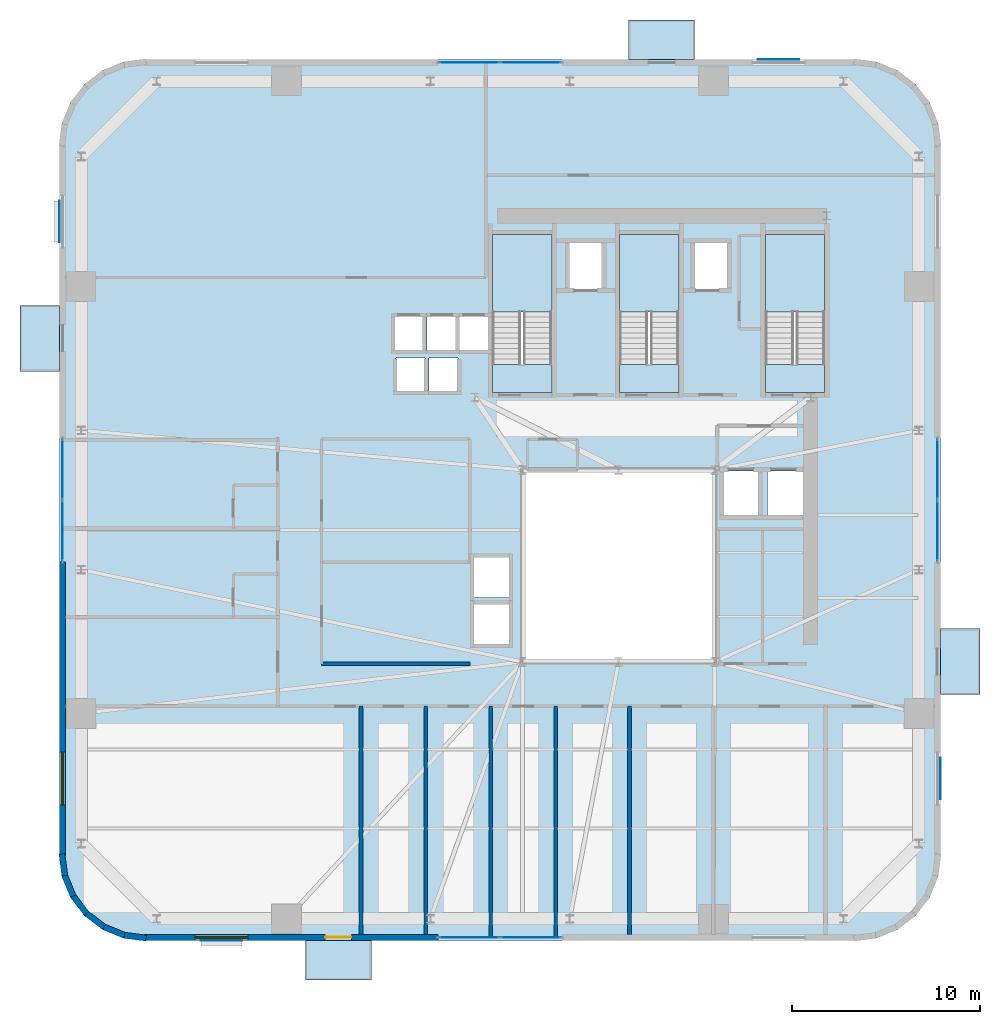
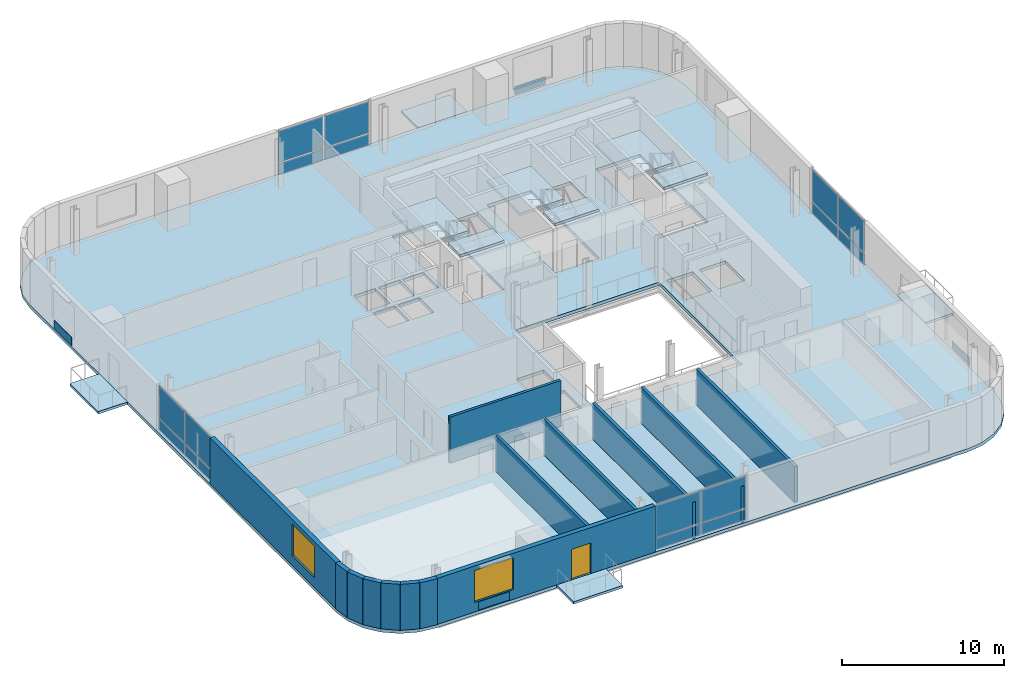
# One storey, part 5 of 14: 20 plates, 14 walls, 11 slabs, 2 windows, 1 door, 3 openings, 7 elements without a shape of their own.
"""IFC4 building model written with IfcOpenShell, lengths in metres."""

from ifc_helpers import new_model, si_unit, direction, frame, frame_2d, origin, origin_2d, place, context, subcontext, project, spatial, polyline, rectangle, outline, extrude, source, transform, mapped, material, layer, layer_set, type_object, element, fill, aggregate, save


model = new_model("IFC4")

# Units and contexts
model_context = context("Model", 3, precision=1e-05, world=origin(), true_north=direction((0.0, 1.0)))
body_context = subcontext(model_context, "Body", "Model", "MODEL_VIEW")
ifc_project = project(units=[si_unit("LENGTHUNIT", "METRE"), si_unit("AREAUNIT", "SQUARE_METRE"), si_unit("VOLUMEUNIT", "CUBIC_METRE"), si_unit("PLANEANGLEUNIT", "RADIAN"), si_unit("MASSUNIT", "GRAM", prefix="KILO")], contexts=[model_context])

# Site, building, storey
site_placement = place(None, origin())
site = spatial("IfcSite", under=ifc_project, at=site_placement, CompositionType="ELEMENT")
building_placement = place(site_placement, origin())
building = spatial("IfcBuilding", under=site, at=building_placement, Name="Vardaveli Station Tower", CompositionType="ELEMENT")
storey_placement = place(building_placement, frame((0.0, 0.0, 133.5)))
storey = spatial("IfcBuildingStorey", under=building, at=storey_placement, Name="L34", CompositionType="ELEMENT", Elevation=133.5)

# Stair, slabs
ifc_material_1 = material(Name="Concrete C40/50", Category="concrete")
stair_type = type_object("IfcStairType", Name="STR-CORE-1500", PredefinedType="HALF_TURN_STAIR", material=ifc_material_1)
stair_1_placement = place(storey_placement, origin())
stair_1 = element("IfcStair", 1, at=stair_1_placement, inside=storey, type_object=stair_type, Name="L34 ST-1", PredefinedType="HALF_TURN_STAIR")
ifc_layer_1 = layer(ifc_material_1, 0.199951171875, Name="Concrete C40/50")
ifc_layer_set_1 = layer_set([ifc_layer_1], Name="Concrete C40/50")
slab_type_1 = type_object("IfcSlabType", Name="SLB-LAND-200", PredefinedType="LANDING", material=ifc_layer_set_1)
slab_1_placement = place(storey_placement, frame((0.0, 0.0, 1.64990234375)))
slab_1 = element("IfcSlab", 2, at=slab_1_placement, type_object=slab_type_1, Name="ST-1 landing 1", PredefinedType="LANDING", context=body_context, shape_type="SweptSolid", body=[
    extrude(outline(polyline([(32.75, 35.199951171875), (32.75, 39.300048828125), (29.60009765625, 39.300048828125), (29.60009765625, 35.199951171875), (32.75, 35.199951171875)])), origin(), (0.0, 0.0, 1.0), 0.2001953125),
])
slab_2_placement = place(storey_placement, frame((0.0, 0.0, 3.5)))
slab_2 = element("IfcSlab", 3, at=slab_2_placement, type_object=slab_type_1, Name="ST-1 landing 2", PredefinedType="LANDING", context=body_context, shape_type="SweptSolid", body=[
    extrude(outline(polyline([(32.75, 30.89990234375), (32.75, 32.39990234375), (29.60009765625, 32.39990234375), (29.60009765625, 30.89990234375), (32.75, 30.89990234375)])), origin(), (0.0, 0.0, 1.0), 0.199951171875),
])
aggregate(stair_1, [slab_1, slab_2])

stair_2_placement = place(storey_placement, origin())
stair_2 = element("IfcStair", 4, at=stair_2_placement, inside=storey, type_object=stair_type, Name="L34 ST-2", PredefinedType="HALF_TURN_STAIR")
slab_3_placement = place(storey_placement, frame((0.0, 0.0, 1.64990234375)))
slab_3 = element("IfcSlab", 5, at=slab_3_placement, type_object=slab_type_1, Name="ST-2 landing 1", PredefinedType="LANDING", context=body_context, shape_type="SweptSolid", body=[
    extrude(outline(polyline([(39.5, 35.199951171875), (39.5, 39.300048828125), (36.35009765625, 39.300048828125), (36.35009765625, 35.199951171875), (39.5, 35.199951171875)])), origin(), (0.0, 0.0, 1.0), 0.2001953125),
])
slab_4_placement = place(storey_placement, frame((0.0, 0.0, 3.5)))
slab_4 = element("IfcSlab", 6, at=slab_4_placement, type_object=slab_type_1, Name="ST-2 landing 2", PredefinedType="LANDING", context=body_context, shape_type="SweptSolid", body=[
    extrude(outline(polyline([(39.5, 30.89990234375), (39.5, 32.39990234375), (36.35009765625, 32.39990234375), (36.35009765625, 30.89990234375), (39.5, 30.89990234375)])), origin(), (0.0, 0.0, 1.0), 0.199951171875),
])
aggregate(stair_2, [slab_3, slab_4])

stair_3_placement = place(storey_placement, origin())
stair_3 = element("IfcStair", 7, at=stair_3_placement, inside=storey, type_object=stair_type, Name="L34 ST-3", PredefinedType="HALF_TURN_STAIR")
slab_5_placement = place(storey_placement, frame((0.0, 0.0, 1.64990234375)))
slab_5 = element("IfcSlab", 8, at=slab_5_placement, type_object=slab_type_1, Name="ST-3 landing 1", PredefinedType="LANDING", context=body_context, shape_type="SweptSolid", body=[
    extrude(outline(polyline([(47.25, 35.199951171875), (47.25, 39.300048828125), (44.10009765625, 39.300048828125), (44.10009765625, 35.199951171875), (47.25, 35.199951171875)])), origin(), (0.0, 0.0, 1.0), 0.2001953125),
])
slab_6_placement = place(storey_placement, frame((0.0, 0.0, 3.5)))
slab_6 = element("IfcSlab", 9, at=slab_6_placement, type_object=slab_type_1, Name="ST-3 landing 2", PredefinedType="LANDING", context=body_context, shape_type="SweptSolid", body=[
    extrude(outline(polyline([(47.25, 30.89990234375), (47.25, 32.39990234375), (44.10009765625, 32.39990234375), (44.10009765625, 30.89990234375), (47.25, 30.89990234375)])), origin(), (0.0, 0.0, 1.0), 0.199951171875),
])
aggregate(stair_3, [slab_5, slab_6])

# Slabs
ifc_material_2 = material(Name="Precast concrete C45/55", Category="concrete")
ifc_layer_2 = layer(ifc_material_2, 0.179931640625, Name="Precast concrete C45/55")
ifc_layer_set_2 = layer_set([ifc_layer_2], Name="Precast concrete C45/55")
slab_type_2 = type_object("IfcSlabType", Name="SLB-LOGGIA-180", PredefinedType="FLOOR", material=ifc_layer_set_2)
slab_7_placement = place(storey_placement, frame((0.0, 0.0, -0.179931640625)))
element("IfcSlab", 10, at=slab_7_placement, inside=storey, type_object=slab_type_2, Name="LOG-L34-S", PredefinedType="FLOOR", context=body_context, shape_type="SweptSolid", body=[
    extrude(outline(polyline([(19.660400390625, -0.300048828125), (23.160400390625, -0.300048828125), (23.160400390625, 1.800048828125), (19.660400390625, 1.800048828125), (19.660400390625, -0.300048828125)])), origin(), (0.0, 0.0, 1.0), 0.179931640625),
])
slab_8_placement = place(storey_placement, frame((0.0, 0.0, -0.179931640625)))
element("IfcSlab", 11, at=slab_8_placement, inside=storey, type_object=slab_type_2, Name="LOG-L34-N", PredefinedType="FLOOR", context=body_context, shape_type="SweptSolid", body=[
    extrude(outline(polyline([(36.839599609375, 48.60009765625), (40.339599609375, 48.60009765625), (40.339599609375, 50.699951171875), (36.839599609375, 50.699951171875), (36.839599609375, 48.60009765625)])), origin(), (0.0, 0.0, 1.0), 0.179931640625),
])
slab_9_placement = place(storey_placement, frame((0.0, 0.0, -0.179931640625)))
element("IfcSlab", 12, at=slab_9_placement, inside=storey, type_object=slab_type_2, Name="LOG-L34-W", PredefinedType="FLOOR", context=body_context, shape_type="SweptSolid", body=[
    extrude(outline(polyline([(4.5, 32.03955078125), (6.60009765625, 32.03955078125), (6.60009765625, 35.53955078125), (4.5, 35.53955078125), (4.5, 32.03955078125)])), origin(), (0.0, 0.0, 1.0), 0.179931640625),
])
slab_10_placement = place(storey_placement, frame((0.0, 0.0, -0.179931640625)))
element("IfcSlab", 13, at=slab_10_placement, inside=storey, type_object=slab_type_2, Name="LOG-L34-E", PredefinedType="FLOOR", context=body_context, shape_type="SweptSolid", body=[
    extrude(outline(polyline([(53.39990234375, 14.8603515625), (55.5, 14.8603515625), (55.5, 18.3603515625), (53.39990234375, 18.3603515625), (53.39990234375, 14.8603515625)])), origin(), (0.0, 0.0, 1.0), 0.179931640625),
])
ifc_layer_3 = layer(ifc_material_1, 0.239990234375, Name="Concrete C40/50")
ifc_layer_set_3 = layer_set([ifc_layer_3], Name="Concrete C40/50")
slab_type_3 = type_object("IfcSlabType", Name="SLB-TOW-240", PredefinedType="FLOOR", material=ifc_layer_set_3)
slab_11_placement = place(storey_placement, frame((0.0, 0.0, -0.239990234375)))
element("IfcSlab", 14, at=slab_11_placement, inside=storey, type_object=slab_type_3, Name="SLB-L34-MAIN", PredefinedType="FLOOR", context=body_context, shape_type="SweptSolid", body=[
    extrude(outline(polyline([(6.60009765625, 6.300048828125), (6.75341796875, 5.13525390625), (7.202880859375, 4.050048828125), (7.91796875, 3.117919921875), (8.85009765625, 2.40283203125), (9.935302734375, 1.953369140625), (11.10009765625, 1.800048828125), (48.89990234375, 1.800048828125), (50.064697265625, 1.953369140625), (51.14990234375, 2.40283203125), (52.08203125, 3.117919921875), (52.797119140625, 4.050048828125), (53.24658203125, 5.13525390625), (53.39990234375, 6.300048828125), (53.39990234375, 44.10009765625), (53.24658203125, 45.2646484375), (52.797119140625, 46.35009765625), (52.08203125, 47.281982421875), (51.14990234375, 47.9970703125), (50.064697265625, 48.44677734375), (48.89990234375, 48.60009765625), (11.10009765625, 48.60009765625), (9.935302734375, 48.44677734375), (8.85009765625, 47.9970703125), (7.91796875, 47.281982421875), (7.202880859375, 46.35009765625), (6.75341796875, 45.2646484375), (6.60009765625, 44.10009765625), (6.60009765625, 6.300048828125)]), holes=[polyline([(31.199951171875, 16.60009765625), (41.39990234375, 16.60009765625), (41.39990234375, 26.800048828125), (31.199951171875, 26.800048828125), (31.199951171875, 16.60009765625)]), polyline([(32.75, 30.89990234375), (32.75, 39.300048828125), (29.60009765625, 39.300048828125), (29.60009765625, 30.89990234375), (32.75, 30.89990234375)]), polyline([(39.5, 30.89990234375), (39.5, 39.300048828125), (36.35009765625, 39.300048828125), (36.35009765625, 30.89990234375), (39.5, 30.89990234375)]), polyline([(47.25, 30.89990234375), (47.25, 39.300048828125), (44.10009765625, 39.300048828125), (44.10009765625, 30.89990234375), (47.25, 30.89990234375)]), polyline([(24.385009765625, 33.135009765625), (25.9150390625, 33.135009765625), (25.9150390625, 34.965087890625), (24.385009765625, 34.965087890625), (24.385009765625, 33.135009765625)]), polyline([(26.135009765625, 33.135009765625), (27.6650390625, 33.135009765625), (27.6650390625, 34.965087890625), (26.135009765625, 34.965087890625), (26.135009765625, 33.135009765625)]), polyline([(27.8349609375, 33.135009765625), (29.364990234375, 33.135009765625), (29.364990234375, 34.965087890625), (27.8349609375, 34.965087890625), (27.8349609375, 33.135009765625)]), polyline([(33.659912109375, 36.409912109375), (35.43994140625, 36.409912109375), (35.43994140625, 38.889892578125), (33.659912109375, 38.889892578125), (33.659912109375, 36.409912109375)]), polyline([(40.31005859375, 36.409912109375), (42.090087890625, 36.409912109375), (42.090087890625, 38.889892578125), (40.31005859375, 38.889892578125), (40.31005859375, 36.409912109375)]), polyline([(24.485107421875, 30.9599609375), (26.014892578125, 30.9599609375), (26.014892578125, 32.739990234375), (24.485107421875, 32.739990234375), (24.485107421875, 30.9599609375)]), polyline([(26.235107421875, 30.9599609375), (27.764892578125, 30.9599609375), (27.764892578125, 32.739990234375), (26.235107421875, 32.739990234375), (26.235107421875, 30.9599609375)]), polyline([(28.5849609375, 17.510009765625), (30.514892578125, 17.510009765625), (30.514892578125, 19.68994140625), (28.5849609375, 19.68994140625), (28.5849609375, 17.510009765625)]), polyline([(28.5849609375, 20.010009765625), (30.514892578125, 20.010009765625), (30.514892578125, 22.18994140625), (28.5849609375, 22.18994140625), (28.5849609375, 20.010009765625)]), polyline([(41.860107421875, 24.360107421875), (43.739990234375, 24.360107421875), (43.739990234375, 26.739990234375), (41.860107421875, 26.739990234375), (41.860107421875, 24.360107421875)]), polyline([(44.2099609375, 24.360107421875), (46.090087890625, 24.360107421875), (46.090087890625, 26.739990234375), (44.2099609375, 26.739990234375), (44.2099609375, 24.360107421875)])]), origin(), (0.0, 0.0, 1.0), 0.239990234375),
])

# Curtain wall, plates
ifc_material_3 = material(Name="Travertine stone and solar-control glass", Category="masonry")
curtain_wall_type = type_object("IfcCurtainWallType", Name="CW-SYS-2", PredefinedType="NOTDEFINED", material=ifc_material_3)
curtain_wall_1_placement = place(storey_placement, origin())
curtain_wall_1 = element("IfcCurtainWall", 15, at=curtain_wall_1_placement, inside=storey, type_object=curtain_wall_type, Name="CW-L34-S", PredefinedType="NOTDEFINED")
ifc_material_4 = material(Name="Double-glazed low-E solar-control glass", Category="glass")
ifc_layer_4 = layer(ifc_material_4, 0.035888671875, Name="Double-glazed low-E solar-control glass")
ifc_layer_set_4 = layer_set([ifc_layer_4], Name="Double-glazed low-E solar-control glass")
plate_type_1 = type_object("IfcPlateType", Name="CW-SYS-2-PAN", PredefinedType="CURTAIN_PANEL", material=ifc_layer_set_4)
shared_shape_1 = source(origin(), body_context, "Body", "SweptSolid", [
    extrude(rectangle(XDim=3.172607421875, YDim=0.035888671875, at=origin_2d()), origin(), (0.0, 0.0, 1.0), 0.822509765625),
])
plate_1_placement = place(storey_placement, frame((28.371337890625, 1.9599609375, 0.0849609375), z_axis=(0.0, 0.0, 1.0), x_axis=(1.0, 0.0, 0.0)))
plate_1 = element("IfcPlate", 16, at=plate_1_placement, type_object=plate_type_1, Name="CW-2 panel 1.1", PredefinedType="CURTAIN_PANEL", context=body_context, shape_type="MappedRepresentation", body=[
    mapped(shared_shape_1, transform((0.0, 0.0, 0.0), scale=1.0)),
])
plate_2_placement = place(storey_placement, frame((31.628662109375, 1.9599609375, 0.0849609375), z_axis=(0.0, 0.0, 1.0), x_axis=(1.0, 0.0, 0.0)))
plate_2 = element("IfcPlate", 17, at=plate_2_placement, type_object=plate_type_1, Name="CW-2 panel 2.1", PredefinedType="CURTAIN_PANEL", context=body_context, shape_type="MappedRepresentation", body=[
    mapped(shared_shape_1, transform((0.0, 0.0, 0.0), scale=1.0)),
])

curtain_wall_2_placement = place(storey_placement, origin())
curtain_wall_2 = element("IfcCurtainWall", 18, at=curtain_wall_2_placement, inside=storey, type_object=curtain_wall_type, Name="CW-L34-N", PredefinedType="NOTDEFINED")
plate_3_placement = place(storey_placement, frame((31.628662109375, 48.43994140625, 0.0849609375), z_axis=(0.0, 0.0, 1.0), x_axis=(-1.0, 0.0, 0.0)))
plate_3 = element("IfcPlate", 19, at=plate_3_placement, type_object=plate_type_1, Name="CW-2 panel 1.1", PredefinedType="CURTAIN_PANEL", context=body_context, shape_type="MappedRepresentation", body=[
    mapped(shared_shape_1, transform((0.0, 0.0, 0.0), scale=1.0)),
])
plate_4_placement = place(storey_placement, frame((28.371337890625, 48.43994140625, 0.0849609375), z_axis=(0.0, 0.0, 1.0), x_axis=(-1.0, 0.0, 0.0)))
plate_4 = element("IfcPlate", 20, at=plate_4_placement, type_object=plate_type_1, Name="CW-2 panel 2.1", PredefinedType="CURTAIN_PANEL", context=body_context, shape_type="MappedRepresentation", body=[
    mapped(shared_shape_1, transform((0.0, 0.0, 0.0), scale=1.0)),
])

curtain_wall_3_placement = place(storey_placement, origin())
curtain_wall_3 = element("IfcCurtainWall", 21, at=curtain_wall_3_placement, inside=storey, type_object=curtain_wall_type, Name="CW-L34-W", PredefinedType="NOTDEFINED")
plate_5_placement = place(storey_placement, frame((6.760009765625, 26.828857421875, 0.0849609375), z_axis=(0.0, 0.0, 1.0), x_axis=(0.0, -1.0, 0.0)))
plate_5 = element("IfcPlate", 22, at=plate_5_placement, type_object=plate_type_1, Name="CW-2 panel 1.1", PredefinedType="CURTAIN_PANEL", context=body_context, shape_type="MappedRepresentation", body=[
    mapped(shared_shape_1, transform((0.0, 0.0, 0.0), scale=1.0)),
])
plate_6_placement = place(storey_placement, frame((6.760009765625, 23.5712890625, 0.0849609375), z_axis=(0.0, 0.0, 1.0), x_axis=(0.0, -1.0, 0.0)))
plate_6 = element("IfcPlate", 23, at=plate_6_placement, type_object=plate_type_1, Name="CW-2 panel 2.1", PredefinedType="CURTAIN_PANEL", context=body_context, shape_type="MappedRepresentation", body=[
    mapped(shared_shape_1, transform((0.0, 0.0, 0.0), scale=1.0)),
])

curtain_wall_4_placement = place(storey_placement, origin())
curtain_wall_4 = element("IfcCurtainWall", 24, at=curtain_wall_4_placement, inside=storey, type_object=curtain_wall_type, Name="CW-L34-E", PredefinedType="NOTDEFINED")
plate_7_placement = place(storey_placement, frame((53.239990234375, 23.5712890625, 0.0849609375), z_axis=(0.0, 0.0, 1.0), x_axis=(0.0, 1.0, 0.0)))
plate_7 = element("IfcPlate", 25, at=plate_7_placement, type_object=plate_type_1, Name="CW-2 panel 1.1", PredefinedType="CURTAIN_PANEL", context=body_context, shape_type="MappedRepresentation", body=[
    mapped(shared_shape_1, transform((0.0, 0.0, 0.0), scale=1.0)),
])
plate_8_placement = place(storey_placement, frame((53.239990234375, 26.828857421875, 0.0849609375), z_axis=(0.0, 0.0, 1.0), x_axis=(0.0, 1.0, 0.0)))
plate_8 = element("IfcPlate", 26, at=plate_8_placement, type_object=plate_type_1, Name="CW-2 panel 2.1", PredefinedType="CURTAIN_PANEL", context=body_context, shape_type="MappedRepresentation", body=[
    mapped(shared_shape_1, transform((0.0, 0.0, 0.0), scale=1.0)),
])

# Plates
ifc_material_5 = material(Name="Honed Caucasian travertine stone", Category="masonry")
ifc_layer_5 = layer(ifc_material_5, 0.034912109375, Name="Honed Caucasian travertine stone")
ifc_layer_set_5 = layer_set([ifc_layer_5], Name="Honed Caucasian travertine stone")
plate_type_2 = type_object("IfcPlateType", Name="PLT-TRAV-35", PredefinedType="SHEET", material=ifc_layer_set_5)
shared_shape_2 = source(origin(), body_context, "Body", "SweptSolid", [
    extrude(rectangle(XDim=2.199951171875, YDim=0.034912109375, at=origin_2d()), origin(), (0.0, 0.0, 1.0), 0.6201171875),
])
for number, where, z_axis, x_axis, name in (
    (27, (15.205078125, 1.79052734375, 0.06982421875), (0.0, 0.0, 1.0), (1.0, 0.0, 0.0), "PLT-TR-L34-S"),
    (28, (44.794921875, 48.609619140625, 0.06982421875), (0.0, 0.0, 1.0), (1.0, 0.0, 0.0), "PLT-TR-L34-N"),
    (29, (6.590576171875, 39.9951171875, 0.06982421875), (0.0, 0.0, 1.0), (0.0, 1.0, 0.0), "PLT-TR-L34-W"),
    (30, (53.409423828125, 10.405029296875, 0.06982421875), (0.0, 0.0, 1.0), (0.0, 1.0, 0.0), "PLT-TR-L34-E"),
):
    element("IfcPlate", number, at=place(storey_placement, frame(where, z_axis=z_axis, x_axis=x_axis)), inside=storey, type_object=plate_type_2, Name=name, PredefinedType="SHEET", context=body_context, shape_type="MappedRepresentation", body=[
        mapped(shared_shape_2, transform((0.0, 0.0, 0.0), scale=1.0)),
    ])

# Plate
shared_shape_3 = source(origin(), body_context, "Body", "SweptSolid", [
    extrude(rectangle(XDim=3.172607421875, YDim=0.035888671875, at=origin_2d()), origin(), (0.0, 0.0, 1.0), 2.382568359375),
])
plate_9_placement = place(storey_placement, frame((28.371337890625, 1.9599609375, 0.99267578125), z_axis=(0.0, 0.0, 1.0), x_axis=(1.0, 0.0, 0.0)))
plate_9 = element("IfcPlate", 31, at=plate_9_placement, type_object=plate_type_1, Name="CW-2 panel 1.2", PredefinedType="CURTAIN_PANEL", context=body_context, shape_type="MappedRepresentation", body=[
    mapped(shared_shape_3, transform((0.0, 0.0, 0.0), scale=1.0)),
])

plate_10_placement = place(storey_placement, frame((31.628662109375, 1.9599609375, 0.99267578125), z_axis=(0.0, 0.0, 1.0), x_axis=(1.0, 0.0, 0.0)))
plate_10 = element("IfcPlate", 32, at=plate_10_placement, type_object=plate_type_1, Name="CW-2 panel 2.2", PredefinedType="CURTAIN_PANEL", context=body_context, shape_type="MappedRepresentation", body=[
    mapped(shared_shape_3, transform((0.0, 0.0, 0.0), scale=1.0)),
])

aggregate(curtain_wall_1, [plate_1, plate_9, plate_2, plate_10])

plate_11_placement = place(storey_placement, frame((31.628662109375, 48.43994140625, 0.99267578125), z_axis=(0.0, 0.0, 1.0), x_axis=(-1.0, 0.0, 0.0)))
plate_11 = element("IfcPlate", 33, at=plate_11_placement, type_object=plate_type_1, Name="CW-2 panel 1.2", PredefinedType="CURTAIN_PANEL", context=body_context, shape_type="MappedRepresentation", body=[
    mapped(shared_shape_3, transform((0.0, 0.0, 0.0), scale=1.0)),
])

plate_12_placement = place(storey_placement, frame((28.371337890625, 48.43994140625, 0.99267578125), z_axis=(0.0, 0.0, 1.0), x_axis=(-1.0, 0.0, 0.0)))
plate_12 = element("IfcPlate", 34, at=plate_12_placement, type_object=plate_type_1, Name="CW-2 panel 2.2", PredefinedType="CURTAIN_PANEL", context=body_context, shape_type="MappedRepresentation", body=[
    mapped(shared_shape_3, transform((0.0, 0.0, 0.0), scale=1.0)),
])

aggregate(curtain_wall_2, [plate_3, plate_11, plate_4, plate_12])

plate_13_placement = place(storey_placement, frame((6.760009765625, 26.828857421875, 0.99267578125), z_axis=(0.0, 0.0, 1.0), x_axis=(0.0, -1.0, 0.0)))
plate_13 = element("IfcPlate", 35, at=plate_13_placement, type_object=plate_type_1, Name="CW-2 panel 1.2", PredefinedType="CURTAIN_PANEL", context=body_context, shape_type="MappedRepresentation", body=[
    mapped(shared_shape_3, transform((0.0, 0.0, 0.0), scale=1.0)),
])

plate_14_placement = place(storey_placement, frame((6.760009765625, 23.5712890625, 0.99267578125), z_axis=(0.0, 0.0, 1.0), x_axis=(0.0, -1.0, 0.0)))
plate_14 = element("IfcPlate", 36, at=plate_14_placement, type_object=plate_type_1, Name="CW-2 panel 2.2", PredefinedType="CURTAIN_PANEL", context=body_context, shape_type="MappedRepresentation", body=[
    mapped(shared_shape_3, transform((0.0, 0.0, 0.0), scale=1.0)),
])

aggregate(curtain_wall_3, [plate_5, plate_13, plate_6, plate_14])

plate_15_placement = place(storey_placement, frame((53.239990234375, 23.5712890625, 0.99267578125), z_axis=(0.0, 0.0, 1.0), x_axis=(0.0, 1.0, 0.0)))
plate_15 = element("IfcPlate", 37, at=plate_15_placement, type_object=plate_type_1, Name="CW-2 panel 1.2", PredefinedType="CURTAIN_PANEL", context=body_context, shape_type="MappedRepresentation", body=[
    mapped(shared_shape_3, transform((0.0, 0.0, 0.0), scale=1.0)),
])

plate_16_placement = place(storey_placement, frame((53.239990234375, 26.828857421875, 0.99267578125), z_axis=(0.0, 0.0, 1.0), x_axis=(0.0, 1.0, 0.0)))
plate_16 = element("IfcPlate", 38, at=plate_16_placement, type_object=plate_type_1, Name="CW-2 panel 2.2", PredefinedType="CURTAIN_PANEL", context=body_context, shape_type="MappedRepresentation", body=[
    mapped(shared_shape_3, transform((0.0, 0.0, 0.0), scale=1.0)),
])

aggregate(curtain_wall_4, [plate_7, plate_15, plate_8, plate_16])

# Wall, openings, door, window
ifc_layer_6 = layer(ifc_material_2, 0.320068359375, Name="Precast concrete C45/55")
ifc_layer_set_6 = layer_set([ifc_layer_6], Name="Precast concrete C45/55")
wall_type_1 = type_object("IfcWallType", Name="WAL-EXT-STONE-320", PredefinedType="SOLIDWALL", material=ifc_layer_set_6)
shared_shape_4 = source(origin(), body_context, "Body", "SweptSolid", [
    extrude(rectangle(XDim=15.599853515625, YDim=0.320068359375, at=frame_2d((7.7998046875, 0.0))), origin(), (0.0, 0.0, 1.0), 3.4599609375),
])
wall_1_placement = place(storey_placement, frame((11.10009765625, 1.9599609375, 0.0), z_axis=(0.0, 0.0, 1.0), x_axis=(1.0, 0.0, 0.0)))
wall_1 = element("IfcWall", 39, at=wall_1_placement, inside=storey, type_object=wall_type_1, Name="EW-L34-S1", PredefinedType="SOLIDWALL", context=body_context, shape_type="MappedRepresentation", body=[
    mapped(shared_shape_4, transform((0.0, 0.0, 0.0), scale=1.0)),
])
shared_shape_5 = source(origin(), body_context, "Body", "SweptSolid", [
    extrude(rectangle(XDim=1.39990234375, YDim=2.300048828125, at=frame_2d((0.699951171875, 1.14990234375))), frame((0.0, 0.169921875, 0.0), z_axis=(0.0, -1.0, 0.0), x_axis=(1.0, 0.0, 0.0)), (0.0, 0.0, 1.0), 0.340087890625),
])
opening_1_placement = place(wall_1_placement, frame((9.6103515625, 0.0, 0.0)))
opening_1 = element("IfcOpeningElement", 40, at=opening_1_placement, cuts=wall_1, Name="Opening D-09", PredefinedType="OPENING", context=body_context, shape_type="MappedRepresentation", body=[
    mapped(shared_shape_5, transform((0.0, 0.0, 0.0), scale=1.0)),
])
shared_shape_6 = source(origin(), body_context, "Body", "SweptSolid", [
    extrude(rectangle(XDim=2.800048828125, YDim=2.39990234375, at=frame_2d((1.39990234375, 1.199951171875))), frame((0.0, 0.169921875, 0.0), z_axis=(0.0, -1.0, 0.0), x_axis=(1.0, 0.0, 0.0)), (0.0, 0.0, 1.0), 0.340087890625),
])
opening_2_placement = place(wall_1_placement, frame((2.705078125, 0.0, 0.719970703125)))
opening_2 = element("IfcOpeningElement", 41, at=opening_2_placement, cuts=wall_1, Name="Opening W-04", PredefinedType="OPENING", context=body_context, shape_type="MappedRepresentation", body=[
    mapped(shared_shape_6, transform((0.0, 0.0, 0.0), scale=1.0)),
])
ifc_material_6 = material(Name="Thermally broken aluminium glass", Category="aluminium")
door_type = type_object("IfcDoorType", Name="DR-LOG-1400x2300", OperationType="DOUBLE_DOOR_SLIDING", PredefinedType="DOOR", material=ifc_material_6)
shared_shape_7 = source(origin(), body_context, "Body", "SweptSolid", [
    extrude(rectangle(XDim=1.39990234375, YDim=2.300048828125, at=frame_2d((0.699951171875, 1.14990234375))), frame((0.0, 0.02490234375, 0.0), z_axis=(0.0, -1.0, 0.0), x_axis=(1.0, 0.0, 0.0)), (0.0, 0.0, 1.0), 0.050048828125),
])
door_placement = place(opening_1_placement, frame((1.39990234375, 0.0, 0.0), z_axis=(0.0, 0.0, 1.0), x_axis=(-1.0, 0.0, 0.0)))
door = element("IfcDoor", 42, at=door_placement, inside=storey, type_object=door_type, Name="DLG-L34-S", OperationType="DOUBLE_DOOR_SLIDING", OverallHeight=2.300048828125, OverallWidth=1.39990234375, PredefinedType="DOOR", context=body_context, shape_type="MappedRepresentation", body=[
    mapped(shared_shape_7, transform((0.0, 0.0, 0.0), scale=1.0)),
])
fill(opening_1, door)
ifc_material_7 = material(Name="Low-E solar-control glass", Category="glass")
window_type = type_object("IfcWindowType", Name="WIN-SUITE-2800x2400", PartitioningType="SINGLE_PANEL", PredefinedType="WINDOW", material=ifc_material_7)
shared_shape_8 = source(origin(), body_context, "Body", "SweptSolid", [
    extrude(rectangle(XDim=2.800048828125, YDim=2.39990234375, at=frame_2d((1.39990234375, 1.199951171875))), frame((0.0, 0.030029296875, 0.0), z_axis=(0.0, -1.0, 0.0), x_axis=(1.0, 0.0, 0.0)), (0.0, 0.0, 1.0), 0.06005859375),
])
window_1_placement = place(opening_2_placement, origin())
window_1 = element("IfcWindow", 43, at=window_1_placement, inside=storey, type_object=window_type, Name="WN-L34-S1", OverallHeight=2.39990234375, OverallWidth=2.800048828125, PartitioningType="SINGLE_PANEL", PredefinedType="WINDOW", context=body_context, shape_type="MappedRepresentation", body=[
    mapped(shared_shape_8, transform((0.0, 0.0, 0.0), scale=1.0)),
])
fill(opening_2, window_1)

# Wall, opening, window
wall_2_placement = place(storey_placement, frame((6.760009765625, 21.89990234375, 0.0), z_axis=(0.0, 0.0, 1.0), x_axis=(0.0, -1.0, 0.0)))
wall_2 = element("IfcWall", 44, at=wall_2_placement, inside=storey, type_object=wall_type_1, Name="EW-L34-W2", PredefinedType="SOLIDWALL", context=body_context, shape_type="MappedRepresentation", body=[
    mapped(shared_shape_4, transform((0.0, 0.0, 0.0), scale=1.0)),
])
opening_3_placement = place(wall_2_placement, frame((10.094970703125, 0.0, 0.719970703125)))
opening_3 = element("IfcOpeningElement", 45, at=opening_3_placement, cuts=wall_2, Name="Opening W-04", PredefinedType="OPENING", context=body_context, shape_type="MappedRepresentation", body=[
    mapped(shared_shape_6, transform((0.0, 0.0, 0.0), scale=1.0)),
])
window_2_placement = place(opening_3_placement, origin())
window_2 = element("IfcWindow", 46, at=window_2_placement, inside=storey, type_object=window_type, Name="WN-L34-W2", OverallHeight=2.39990234375, OverallWidth=2.800048828125, PartitioningType="SINGLE_PANEL", PredefinedType="WINDOW", context=body_context, shape_type="MappedRepresentation", body=[
    mapped(shared_shape_8, transform((0.0, 0.0, 0.0), scale=1.0)),
])
fill(opening_3, window_2)

# Walls
shared_shape_9 = source(origin(), body_context, "Body", "SweptSolid", [
    extrude(rectangle(XDim=1.170654296875, YDim=0.320068359375, at=frame_2d((0.58544921875, 0.0))), origin(), (0.0, 0.0, 1.0), 3.4599609375),
])
wall_3_placement = place(storey_placement, frame((6.724365234375, 6.400634765625, 0.0), z_axis=(0.0, 0.0, 1.0), x_axis=(0.128269133229, -0.991739395941, 0.0)))
element("IfcWall", 47, at=wall_3_placement, inside=storey, type_object=wall_type_1, Name="EW-L34-CR1-1", PredefinedType="SOLIDWALL", context=body_context, shape_type="MappedRepresentation", body=[
    mapped(shared_shape_9, transform((0.0, 0.0, 0.0), scale=1.0)),
])
shared_shape_10 = source(origin(), body_context, "Body", "SweptSolid", [
    extrude(rectangle(XDim=1.1689453125, YDim=0.320068359375, at=frame_2d((0.58447265625, 0.0))), origin(), (0.0, 0.0, 1.0), 3.4599609375),
])
for number, where, z_axis, x_axis, name in (
    (48, (6.87451171875, 5.23974609375, 0.0), (0.0, 0.0, 1.0), (0.381127904695, -0.924522320046, 0.0), "EW-L34-CR1-2"),
    (49, (7.320068359375, 4.158935546875, 0.0), (0.0, 0.0, 1.0), (0.608387696831, -0.793639975269, 0.0), "EW-L34-CR1-3"),
):
    element("IfcWall", number, at=place(storey_placement, frame(where, z_axis=z_axis, x_axis=x_axis)), inside=storey, type_object=wall_type_1, Name=name, PredefinedType="SOLIDWALL", context=body_context, shape_type="MappedRepresentation", body=[
        mapped(shared_shape_10, transform((0.0, 0.0, 0.0), scale=1.0)),
    ])
shared_shape_11 = source(origin(), body_context, "Body", "SweptSolid", [
    extrude(rectangle(XDim=1.168701171875, YDim=0.320068359375, at=frame_2d((0.58447265625, 0.0))), origin(), (0.0, 0.0, 1.0), 3.4599609375),
])
wall_4_placement = place(storey_placement, frame((8.03125, 3.231201171875, 0.0), z_axis=(0.0, 0.0, 1.0), x_axis=(0.793663520347, -0.608356981114, 0.0)))
element("IfcWall", 50, at=wall_4_placement, inside=storey, type_object=wall_type_1, Name="EW-L34-CR1-4", PredefinedType="SOLIDWALL", context=body_context, shape_type="MappedRepresentation", body=[
    mapped(shared_shape_11, transform((0.0, 0.0, 0.0), scale=1.0)),
])
shared_shape_12 = source(origin(), body_context, "Body", "SweptSolid", [
    extrude(rectangle(XDim=1.16943359375, YDim=0.320068359375, at=frame_2d((0.584716796875, 0.0))), origin(), (0.0, 0.0, 1.0), 3.4599609375),
])
wall_5_placement = place(storey_placement, frame((8.958740234375, 2.520263671875, 0.0), z_axis=(0.0, 0.0, 1.0), x_axis=(0.924479075121, -0.381232789334, 0.0)))
element("IfcWall", 51, at=wall_5_placement, inside=storey, type_object=wall_type_1, Name="EW-L34-CR1-5", PredefinedType="SOLIDWALL", context=body_context, shape_type="MappedRepresentation", body=[
    mapped(shared_shape_12, transform((0.0, 0.0, 0.0), scale=1.0)),
])
shared_shape_13 = source(origin(), body_context, "Body", "SweptSolid", [
    extrude(rectangle(XDim=1.170166015625, YDim=0.320068359375, at=frame_2d((0.5849609375, 0.0))), origin(), (0.0, 0.0, 1.0), 3.4599609375),
])
wall_6_placement = place(storey_placement, frame((10.039794921875, 2.074462890625, 0.0), z_axis=(0.0, 0.0, 1.0), x_axis=(0.991762485493, -0.128090485085, 0.0)))
element("IfcWall", 52, at=wall_6_placement, inside=storey, type_object=wall_type_1, Name="EW-L34-CR1-6", PredefinedType="SOLIDWALL", context=body_context, shape_type="MappedRepresentation", body=[
    mapped(shared_shape_13, transform((0.0, 0.0, 0.0), scale=1.0)),
])
ifc_material_8 = material(Name="Fire-rated gypsum stud partition")
ifc_layer_7 = layer(ifc_material_8, 0.179931640625, Name="Fire-rated gypsum stud partition")
ifc_layer_set_7 = layer_set([ifc_layer_7], Name="Fire-rated gypsum stud partition")
wall_type_2 = type_object("IfcWallType", Name="WAL-CORR-180", PredefinedType="PARTITIONING", material=ifc_layer_set_7)
shared_shape_14 = source(origin(), body_context, "Body", "SweptSolid", [
    extrude(rectangle(XDim=7.8798828125, YDim=0.179931640625, at=frame_2d((3.93994140625, 0.0))), origin(), (0.0, 0.0, 1.0), 3.4599609375),
])
wall_7_placement = place(storey_placement, frame((20.52001953125, 16.5, 0.0), z_axis=(0.0, 0.0, 1.0), x_axis=(1.0, 0.0, 0.0)))
element("IfcWall", 53, at=wall_7_placement, inside=storey, type_object=wall_type_2, Name="W-L34-ATW1-S", PredefinedType="PARTITIONING", context=body_context, shape_type="MappedRepresentation", body=[
    mapped(shared_shape_14, transform((0.0, 0.0, 0.0), scale=1.0)),
])
ifc_material_9 = material(Name="Acoustic twin-stud gypsum partition")
ifc_layer_8 = layer(ifc_material_9, 0.199951171875, Name="Acoustic twin-stud gypsum partition")
ifc_layer_set_8 = layer_set([ifc_layer_8], Name="Acoustic twin-stud gypsum partition")
wall_type_3 = type_object("IfcWallType", Name="WAL-PARTY-200", PredefinedType="PARTITIONING", material=ifc_layer_set_8)
shared_shape_15 = source(origin(), body_context, "Body", "SweptSolid", [
    extrude(rectangle(XDim=12.1279296875, YDim=0.199951171875, at=frame_2d((6.06396484375, 0.0))), origin(), (0.0, 0.0, 1.0), 2.701904296875),
])
for number, where, z_axis, x_axis, name in (
    (54, (22.610107421875, 2.1220703125, 0.0), (0.0, 0.0, 1.0), (0.0, 1.0, 0.0), "W-L34-PS1"),
    (55, (26.06005859375, 2.1220703125, 0.0), (0.0, 0.0, 1.0), (0.0, 1.0, 0.0), "W-L34-PS2"),
    (56, (36.882080078125, 2.1220703125, 0.0), (0.0, 0.0, 1.0), (0.0, 1.0, 0.0), "W-L34-PS5"),
):
    element("IfcWall", number, at=place(storey_placement, frame(where, z_axis=z_axis, x_axis=x_axis)), inside=storey, type_object=wall_type_3, Name=name, PredefinedType="PARTITIONING", context=body_context, shape_type="MappedRepresentation", body=[
        mapped(shared_shape_15, transform((0.0, 0.0, 0.0), scale=1.0)),
    ])
shared_shape_16 = source(origin(), body_context, "Body", "SweptSolid", [
    extrude(rectangle(XDim=12.320068359375, YDim=0.199951171875, at=frame_2d((6.16015625, 0.0))), origin(), (0.0, 0.0, 1.0), 2.701904296875),
])
for number, where, z_axis, x_axis, name in (
    (57, (29.510009765625, 1.929931640625, 0.0), (0.0, 0.0, 1.0), (0.0, 1.0, 0.0), "W-L34-PS3"),
    (58, (32.9599609375, 1.929931640625, 0.0), (0.0, 0.0, 1.0), (0.0, 1.0, 0.0), "W-L34-PS4"),
):
    element("IfcWall", number, at=place(storey_placement, frame(where, z_axis=z_axis, x_axis=x_axis)), inside=storey, type_object=wall_type_3, Name=name, PredefinedType="PARTITIONING", context=body_context, shape_type="MappedRepresentation", body=[
        mapped(shared_shape_16, transform((0.0, 0.0, 0.0), scale=1.0)),
    ])

save(model, "model.ifc")
